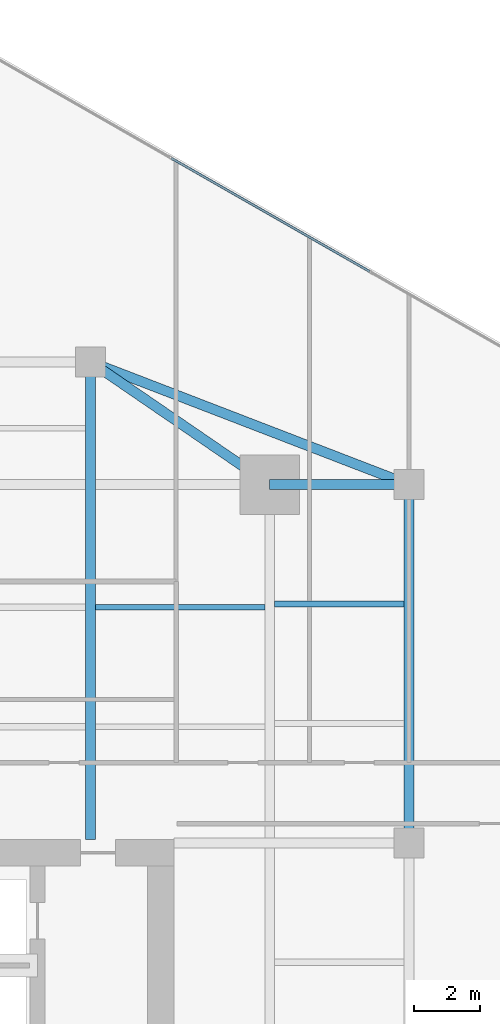
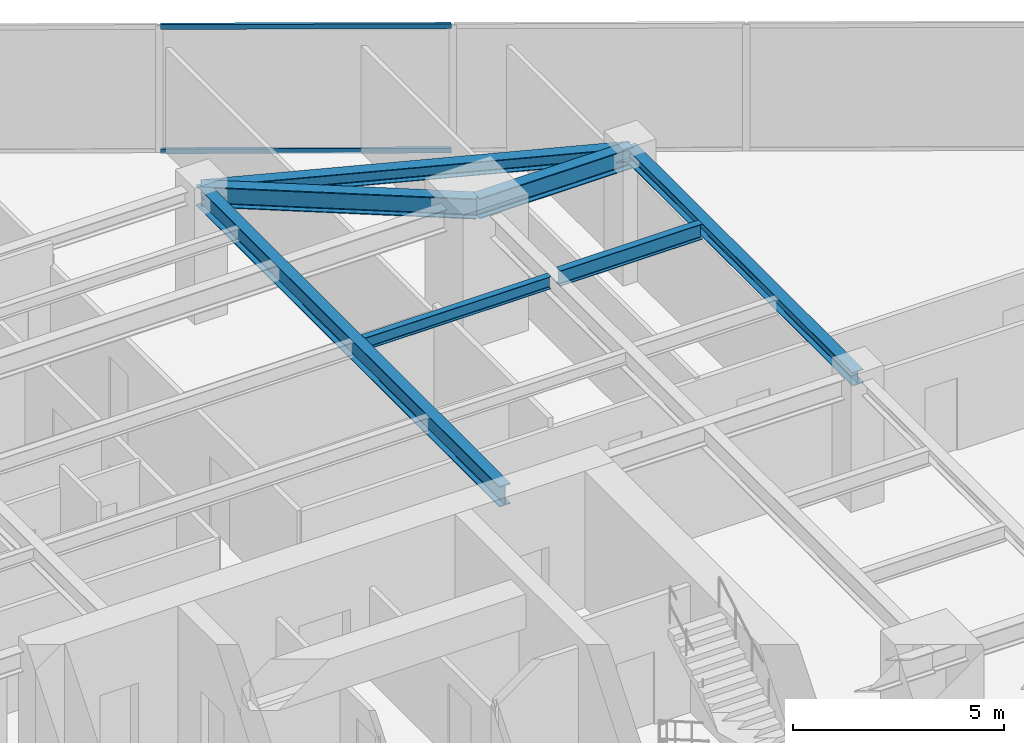
# One storey, part 16 of 24: 7 beams, 2 members, 1 element without a shape of its own.
"""IFC4 building model written with IfcOpenShell, lengths in metres."""

from ifc_helpers import new_model, si_unit, direction, frame, origin, origin_2d, place, context, subcontext, project, spatial, hollow_rectangle, i_section, extrude, source, transform, mapped, material, material_profile, profile_set, type_object, type_shapes, element, aggregate, save


model = new_model("IFC4")

# Units and contexts
model_context = context("Model", 3, precision=1e-05, world=origin(), true_north=direction((0.0, 1.0)))
body_context = subcontext(model_context, "Body", "Model", "MODEL_VIEW")
ifc_project = project(units=[si_unit("LENGTHUNIT", "METRE"), si_unit("AREAUNIT", "SQUARE_METRE"), si_unit("VOLUMEUNIT", "CUBIC_METRE"), si_unit("PLANEANGLEUNIT", "RADIAN"), si_unit("MASSUNIT", "GRAM", prefix="KILO")], contexts=[model_context])

# Site, building, storey
site_placement = place(None, origin())
site = spatial("IfcSite", under=ifc_project, at=site_placement, CompositionType="ELEMENT")
building_placement = place(site_placement, origin())
building = spatial("IfcBuilding", under=site, at=building_placement, Name="Krantzveldt Concourse Tower", CompositionType="ELEMENT")
storey_placement = place(building_placement, frame((0.0, 0.0, 169.89990234375)))
storey = spatial("IfcBuildingStorey", under=building, at=storey_placement, Name="L41", CompositionType="ELEMENT", Elevation=169.89990234375)

# Beams
ifc_material_1 = material(Name="Steel S355JR", Category="steel")
ifc_material_profile_1 = material_profile(ifc_material_1, i_section(OverallWidth=0.300048828125, OverallDepth=0.590087890625, WebThickness=0.012939453125, FlangeThickness=0.02490234375, FilletRadius=0.027099609375, at=origin_2d()), Name="Steel S355JR", Category="steel")
ifc_profile_set_1 = profile_set([ifc_material_profile_1], Name="Steel S355JR - HEA 600")
beam_type_1 = type_object("IfcBeamType", Name="BM-B-HEA600", PredefinedType="BEAM", material=ifc_profile_set_1)
shared_shape_1 = source(origin(), body_context, "Body", "SweptSolid", [
    extrude(i_section(OverallWidth=0.300048828125, OverallDepth=0.590087890625, WebThickness=0.012939453125, FlangeThickness=0.02490234375, FilletRadius=0.027099609375, at=origin_2d()), origin(), (0.0, 0.0, 1.0), 14.39990234375),
])
beam_1_placement = place(storey_placement, frame((41.39990234375, 26.800048828125, 3.375), z_axis=(0.0, 1.0, 0.0), x_axis=(-1.0, 0.0, 0.0)))
element("IfcBeam", 1, at=beam_1_placement, inside=storey, type_object=beam_type_1, Name="L41 Tower Girder BG-CNE", PredefinedType="BEAM", context=body_context, shape_type="MappedRepresentation", body=[
    mapped(shared_shape_1, transform((0.0, 0.0, 0.0), x_axis=(1.0, 0.0, 0.0), y_axis=(0.0, 1.0, 0.0), z_axis=(0.0, 0.0, 1.0), scale=1.0)),
])
shared_shape_2 = source(origin(), body_context, "Body", "SweptSolid", [
    extrude(i_section(OverallWidth=0.300048828125, OverallDepth=0.590087890625, WebThickness=0.012939453125, FlangeThickness=0.02490234375, FilletRadius=0.027099609375, at=origin_2d()), origin(), (0.0, 0.0, 1.0), 4.199951171875),
])
beam_2_placement = place(storey_placement, frame((46.800048828125, 37.5, 3.375), z_axis=(1.0, 0.0, 0.0), x_axis=(0.0, 1.0, 0.0)))
element("IfcBeam", 2, at=beam_2_placement, inside=storey, type_object=beam_type_1, Name="L41 Tower Girder BR-RR3", PredefinedType="BEAM", context=body_context, shape_type="MappedRepresentation", body=[
    mapped(shared_shape_2, transform((0.0, 0.0, 0.0), x_axis=(1.0, 0.0, 0.0), y_axis=(0.0, 1.0, 0.0), z_axis=(0.0, 0.0, 1.0), scale=1.0)),
])
shared_shape_3 = source(origin(), body_context, "Body", "SweptSolid", [
    extrude(i_section(OverallWidth=0.300048828125, OverallDepth=0.590087890625, WebThickness=0.012939453125, FlangeThickness=0.02490234375, FilletRadius=0.027099609375, at=origin_2d()), origin(), (0.0, 0.0, 1.0), 6.546142578125),
])
type_shapes(beam_type_1, [shared_shape_1, shared_shape_2, shared_shape_3])
beam_3_placement = place(storey_placement, frame((46.800048828125, 37.5, 3.375), z_axis=(-0.824942999484, 0.565215930068, 0.0), x_axis=(-0.565215930068, -0.824942999484, 0.0)))
element("IfcBeam", 3, at=beam_3_placement, inside=storey, type_object=beam_type_1, Name="L41 Tower Girder BR-RR4", PredefinedType="BEAM", context=body_context, shape_type="MappedRepresentation", body=[
    mapped(shared_shape_3, transform((0.0, 0.0, 0.0), x_axis=(1.0, 0.0, 0.0), y_axis=(0.0, 1.0, 0.0), z_axis=(0.0, 0.0, 1.0), scale=1.0)),
])
ifc_material_profile_2 = material_profile(ifc_material_1, i_section(OverallWidth=0.300048828125, OverallDepth=0.389892578125, WebThickness=0.010986328125, FlangeThickness=0.01904296875, FilletRadius=0.027099609375, at=origin_2d()), Name="Steel S355JR", Category="steel")
ifc_profile_set_2 = profile_set([ifc_material_profile_2], Name="Steel S355JR - HEA 400")
beam_type_2 = type_object("IfcBeamType", Name="BM-SP-HEA400", PredefinedType="SPANDREL", material=ifc_profile_set_2)
shared_shape_4 = source(origin(), body_context, "Body", "SweptSolid", [
    extrude(i_section(OverallWidth=0.300048828125, OverallDepth=0.389892578125, WebThickness=0.010986328125, FlangeThickness=0.01904296875, FilletRadius=0.027099609375, at=origin_2d()), origin(), (0.0, 0.0, 1.0), 10.800048828125),
])
beam_4_placement = place(storey_placement, frame((51.0, 37.5, 3.47509765625), z_axis=(0.0, -1.0, 0.0), x_axis=(1.0, 0.0, 0.0)))
element("IfcBeam", 4, at=beam_4_placement, inside=storey, type_object=beam_type_2, Name="L41 Tower Girder SP-R06", PredefinedType="SPANDREL", context=body_context, shape_type="MappedRepresentation", body=[
    mapped(shared_shape_4, transform((0.0, 0.0, 0.0), x_axis=(1.0, 0.0, 0.0), y_axis=(0.0, 1.0, 0.0), z_axis=(0.0, 0.0, 1.0), scale=1.0)),
])
shared_shape_5 = source(origin(), body_context, "Body", "SweptSolid", [
    extrude(i_section(OverallWidth=0.300048828125, OverallDepth=0.389892578125, WebThickness=0.010986328125, FlangeThickness=0.01904296875, FilletRadius=0.027099609375, at=origin_2d()), origin(), (0.0, 0.0, 1.0), 10.288330078125),
])
type_shapes(beam_type_2, [shared_shape_4, shared_shape_5])
beam_5_placement = place(storey_placement, frame((41.39990234375, 41.199951171875, 3.47509765625), z_axis=(0.933097690408, -0.359622997257, 0.0), x_axis=(0.359622997257, 0.933097690408, 0.0)))
element("IfcBeam", 5, at=beam_5_placement, inside=storey, type_object=beam_type_2, Name="L41 Tower Girder SP-R05", PredefinedType="SPANDREL", context=body_context, shape_type="MappedRepresentation", body=[
    mapped(shared_shape_5, transform((0.0, 0.0, 0.0), x_axis=(1.0, 0.0, 0.0), y_axis=(0.0, 1.0, 0.0), z_axis=(0.0, 0.0, 1.0), scale=1.0)),
])
ifc_material_profile_3 = material_profile(ifc_material_1, i_section(OverallWidth=0.169921875, OverallDepth=0.360107421875, WebThickness=0.008056640625, FlangeThickness=0.0126953125, FilletRadius=0.01806640625, at=origin_2d()), Name="Steel S355JR", Category="steel")
ifc_profile_set_3 = profile_set([ifc_material_profile_3], Name="Steel S355JR - IPE 360")
beam_type_3 = type_object("IfcBeamType", Name="BM-J-IPE360", PredefinedType="JOIST", material=ifc_profile_set_3)
shared_shape_6 = source(origin(), body_context, "Body", "SweptSolid", [
    extrude(i_section(OverallWidth=0.169921875, OverallDepth=0.360107421875, WebThickness=0.008056640625, FlangeThickness=0.0126953125, FilletRadius=0.01806640625, at=origin_2d()), origin(), (0.0, 0.0, 1.0), 5.099853515625),
])
type_shapes(beam_type_3, [shared_shape_6])
beam_6_placement = place(storey_placement, frame((41.550048828125, 33.800048828125, 3.489990234375), z_axis=(1.0, 0.0, 0.0), x_axis=(0.0, 1.0, 0.0)))
element("IfcBeam", 6, at=beam_6_placement, inside=storey, type_object=beam_type_3, Name="L41 Secondary Floor Joist JN-E2", PredefinedType="JOIST", context=body_context, shape_type="MappedRepresentation", body=[
    mapped(shared_shape_6, transform((0.0, 0.0, 0.0), x_axis=(1.0, 0.0, 0.0), y_axis=(0.0, 1.0, 0.0), z_axis=(0.0, 0.0, 1.0), scale=1.0)),
])
ifc_material_profile_4 = material_profile(ifc_material_1, i_section(OverallWidth=0.18994140625, OverallDepth=0.449951171875, WebThickness=0.009521484375, FlangeThickness=0.0146484375, FilletRadius=0.02099609375, at=origin_2d()), Name="Steel S355JR", Category="steel")
ifc_profile_set_4 = profile_set([ifc_material_profile_4], Name="Steel S355JR - IPE 450")
beam_type_4 = type_object("IfcBeamType", Name="BM-J-IPE450", PredefinedType="JOIST", material=ifc_profile_set_4)
shared_shape_7 = source(origin(), body_context, "Body", "SweptSolid", [
    extrude(i_section(OverallWidth=0.18994140625, OverallDepth=0.449951171875, WebThickness=0.009521484375, FlangeThickness=0.0146484375, FilletRadius=0.02099609375, at=origin_2d()), origin(), (0.0, 0.0, 1.0), 3.900146484375),
])
type_shapes(beam_type_4, [shared_shape_7])
beam_7_placement = place(storey_placement, frame((46.949951171875, 33.89990234375, 3.445068359375), z_axis=(1.0, 0.0, 0.0), x_axis=(0.0, 1.0, 0.0)))
element("IfcBeam", 7, at=beam_7_placement, inside=storey, type_object=beam_type_4, Name="L41 Secondary Floor Joist JE-4", PredefinedType="JOIST", context=body_context, shape_type="MappedRepresentation", body=[
    mapped(shared_shape_7, transform((0.0, 0.0, 0.0), x_axis=(1.0, 0.0, 0.0), y_axis=(0.0, 1.0, 0.0), z_axis=(0.0, 0.0, 1.0), scale=1.0)),
])

# Curtain wall, members
ifc_material_2 = material(Name="Anodised aluminium 6063-T6", Category="aluminium")
curtain_wall_type = type_object("IfcCurtainWallType", Name="CW3", PredefinedType="USERDEFINED", material=ifc_material_2)
curtain_wall_placement = place(storey_placement, origin())
curtain_wall = element("IfcCurtainWall", 8, at=curtain_wall_placement, inside=storey, type_object=curtain_wall_type, Name="CW-L41-F14", ObjectType="UNITISED CURTAIN WALL", PredefinedType="USERDEFINED")
ifc_material_profile_5 = material_profile(ifc_material_2, hollow_rectangle(XDim=0.070068359375, YDim=0.139892578125, WallThickness=0.0048828125, at=origin_2d()), Name="Anodised aluminium 6063-T6", Category="aluminium")
ifc_profile_set_5 = profile_set([ifc_material_profile_5], Name="Anodised aluminium 6063-T6 - ALU-TRAN 140x70x5")
member_type = type_object("IfcMemberType", Name="CW-TRN-150", PredefinedType="USERDEFINED", material=ifc_profile_set_5)
shared_shape_8 = source(origin(), body_context, "Body", "SweptSolid", [
    extrude(hollow_rectangle(XDim=0.070068359375, YDim=0.139892578125, WallThickness=0.0048828125, at=origin_2d()), origin(), (0.0, 0.0, 1.0), 6.89013671875),
])
type_shapes(member_type, [shared_shape_8])
member_1_placement = place(storey_placement, frame((49.8134765625, 43.926025390625, 0.03515625), z_axis=(-0.868199527911, 0.496215255443, 0.0), x_axis=(-0.496215255443, -0.868199527911, 0.0)))
member_1 = element("IfcMember", 9, at=member_1_placement, type_object=member_type, Name="CW-Z34 transom 3.1", ObjectType="TRANSOM", PredefinedType="USERDEFINED", context=body_context, shape_type="MappedRepresentation", body=[
    mapped(shared_shape_8, transform((0.0, 0.0, 0.0), x_axis=(1.0, 0.0, 0.0), y_axis=(0.0, 1.0, 0.0), z_axis=(0.0, 0.0, 1.0), scale=1.0)),
])
member_2_placement = place(storey_placement, frame((49.8134765625, 43.926025390625, 3.635009765625), z_axis=(-0.868199527911, 0.496215255443, 0.0), x_axis=(-0.496215255443, -0.868199527911, 0.0)))
member_2 = element("IfcMember", 10, at=member_2_placement, type_object=member_type, Name="CW-Z34 transom 3.2", ObjectType="TRANSOM", PredefinedType="USERDEFINED", context=body_context, shape_type="MappedRepresentation", body=[
    mapped(shared_shape_8, transform((0.0, 0.0, 0.0), x_axis=(1.0, 0.0, 0.0), y_axis=(0.0, 1.0, 0.0), z_axis=(0.0, 0.0, 1.0), scale=1.0)),
])
aggregate(curtain_wall, [member_1, member_2])

save(model, "model.ifc")
